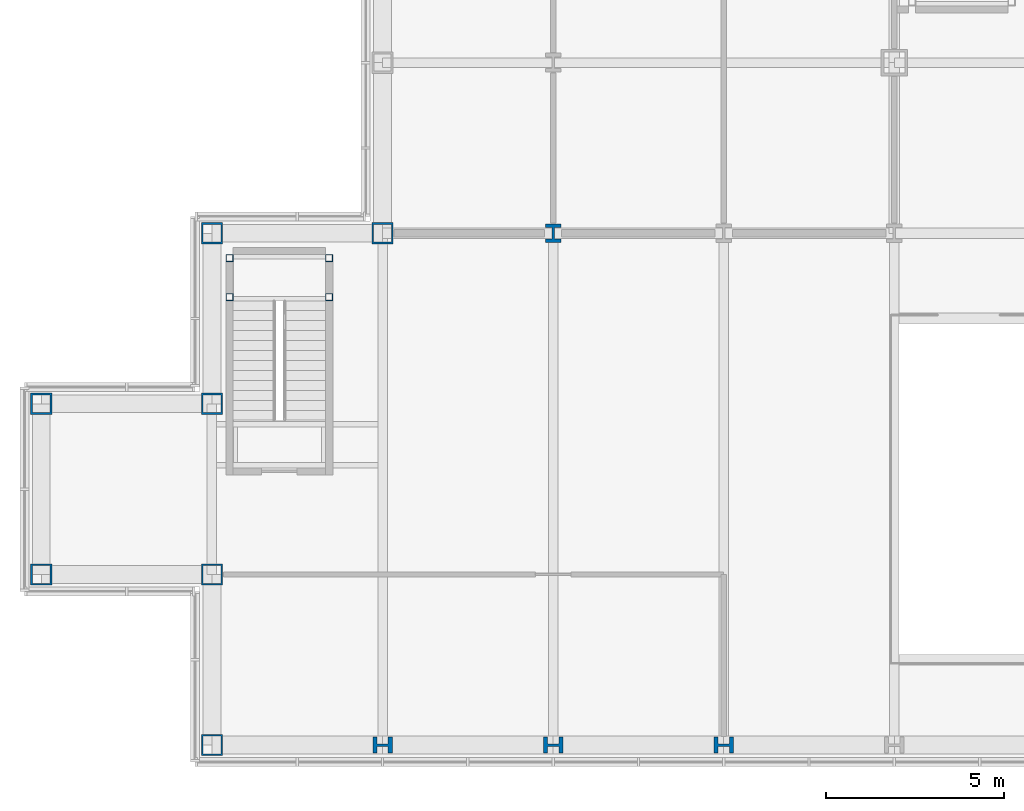
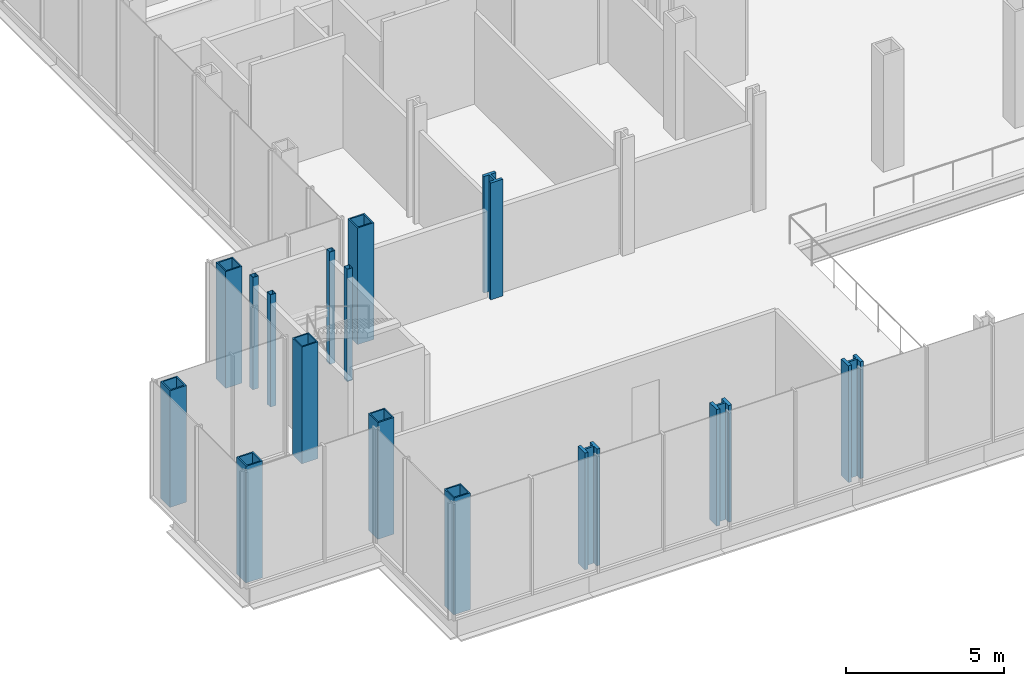
# One storey, part 1 of 28: 15 columns.
"""IFC4 building model written with IfcOpenShell, lengths in metres."""

from ifc_helpers import new_model, si_unit, direction, frame, origin, origin_2d, place, context, subcontext, project, spatial, hollow_rectangle, i_section, extrude, material, material_profile, profile_set, type_object, element, save


model = new_model("IFC4")

# Units and contexts
model_context = context("Model", 3, precision=1e-05, world=origin(), true_north=direction((0.0, 1.0)))
body_context = subcontext(model_context, "Body", "Model", "MODEL_VIEW")
ifc_project = project(units=[si_unit("LENGTHUNIT", "METRE"), si_unit("AREAUNIT", "SQUARE_METRE"), si_unit("VOLUMEUNIT", "CUBIC_METRE"), si_unit("PLANEANGLEUNIT", "RADIAN"), si_unit("MASSUNIT", "GRAM", prefix="KILO")], contexts=[model_context])

# Site, building, storey
site_placement = place(None, origin())
site = spatial("IfcSite", under=ifc_project, at=site_placement, CompositionType="ELEMENT")
building_placement = place(site_placement, origin())
building = spatial("IfcBuilding", under=site, at=building_placement, Name="Kvirike Care Tower", CompositionType="ELEMENT")
storey_placement = place(building_placement, frame((0.0, 0.0, 4.5)))
storey = spatial("IfcBuildingStorey", under=building, at=storey_placement, Name="L01", CompositionType="ELEMENT", Elevation=4.5)

# Columns
ifc_material_1 = material(Name="Steel S460", Category="steel")
ifc_material_profile_1 = material_profile(ifc_material_1, hollow_rectangle(XDim=0.60009765625, YDim=0.60009765625, WallThickness=0.050048828125, at=origin_2d()), Name="BX 600x600x50")
ifc_profile_set_1 = profile_set([ifc_material_profile_1], Name="Steel S460")
column_type_1 = type_object("IfcColumnType", Name="COLUMN BX 600x600x50", PredefinedType="COLUMN", material=ifc_profile_set_1)
for number, where, z_axis, x_axis, name in (
    (1, (-9.60009765625, 4.800048828125, 0.0), (0.0, 0.0, 1.0), (0.0, 1.0, 0.0), "Column B1 L01"),
    (2, (-9.60009765625, 9.60009765625, 0.0), (0.0, 0.0, 1.0), (0.0, 1.0, 0.0), "Column C1 L01"),
    (3, (-4.800048828125, 0.0, 0.0), (0.0, 0.0, 1.0), (0.0, 1.0, 0.0), "Column A2 L01"),
    (4, (-4.800048828125, 4.800048828125, 0.0), (0.0, 0.0, 1.0), (0.0, 1.0, 0.0), "Column B2 L01"),
    (5, (-4.800048828125, 9.60009765625, 0.0), (0.0, 0.0, 1.0), (0.0, 1.0, 0.0), "Column C2 L01"),
    (6, (-4.800048828125, 14.39990234375, 0.0), (0.0, 0.0, 1.0), (0.0, 1.0, 0.0), "Column D2 L01"),
    (7, (0.0, 14.39990234375, 0.0), (0.0, 0.0, 1.0), (0.0, 1.0, 0.0), "Column D3 L01"),
):
    element("IfcColumn", number, at=place(storey_placement, frame(where, z_axis=z_axis, x_axis=x_axis)), inside=storey, type_object=column_type_1, Name=name, PredefinedType="COLUMN", context=body_context, shape_type="SweptSolid", body=[
        extrude(hollow_rectangle(XDim=0.60009765625, YDim=0.60009765625, WallThickness=0.050048828125, at=origin_2d()), origin(), (0.0, 0.0, 1.0), 4.5),
    ])
ifc_material_2 = material(Name="Steel S460", Category="steel")
ifc_material_profile_2 = material_profile(ifc_material_2, i_section(OverallWidth=0.44189453125, OverallDepth=0.531005859375, WebThickness=0.06591796875, FlangeThickness=0.10595703125, FilletRadius=0.014892578125, at=origin_2d()), Name="HD 400x900")
ifc_profile_set_2 = profile_set([ifc_material_profile_2], Name="Steel S460")
column_type_2 = type_object("IfcColumnType", Name="COLUMN HD 400x900", PredefinedType="COLUMN", material=ifc_profile_set_2)
column_placement = place(storey_placement, frame((4.800048828125, 14.39990234375, 0.0), z_axis=(0.0, 0.0, 1.0), x_axis=(1.0, 0.0, 0.0)))
element("IfcColumn", 8, at=column_placement, inside=storey, type_object=column_type_2, Name="Column D4 L01", PredefinedType="COLUMN", context=body_context, shape_type="SweptSolid", body=[
    extrude(i_section(OverallWidth=0.44189453125, OverallDepth=0.531005859375, WebThickness=0.06591796875, FlangeThickness=0.10595703125, FilletRadius=0.014892578125, at=origin_2d()), origin(), (0.0, 0.0, 1.0), 4.5),
])
ifc_material_3 = material(Name="Steel S460", Category="steel")
ifc_material_profile_3 = material_profile(ifc_material_3, i_section(OverallWidth=0.447998046875, OverallDepth=0.550048828125, WebThickness=0.072021484375, FlangeThickness=0.114990234375, FilletRadius=0.014892578125, at=origin_2d()), Name="HD 400x990")
ifc_profile_set_3 = profile_set([ifc_material_profile_3], Name="Steel S460")
column_type_3 = type_object("IfcColumnType", Name="COLUMN HD 400x990", PredefinedType="COLUMN", material=ifc_profile_set_3)
for number, where, z_axis, x_axis, name in (
    (9, (0.0, 0.0, 0.0), (0.0, 0.0, 1.0), (0.0, 1.0, 0.0), "Column A3 L01"),
    (10, (4.800048828125, 0.0, 0.0), (0.0, 0.0, 1.0), (0.0, 1.0, 0.0), "Column A4 L01"),
    (11, (9.60009765625, 0.0, 0.0), (0.0, 0.0, 1.0), (0.0, 1.0, 0.0), "Column A5 L01"),
):
    element("IfcColumn", number, at=place(storey_placement, frame(where, z_axis=z_axis, x_axis=x_axis)), inside=storey, type_object=column_type_3, Name=name, PredefinedType="COLUMN", context=body_context, shape_type="SweptSolid", body=[
        extrude(i_section(OverallWidth=0.447998046875, OverallDepth=0.550048828125, WebThickness=0.072021484375, FlangeThickness=0.114990234375, FilletRadius=0.014892578125, at=origin_2d()), origin(), (0.0, 0.0, 1.0), 4.5),
    ])
ifc_material_4 = material(Name="Steel S460", Category="steel")
ifc_material_profile_4 = material_profile(ifc_material_4, hollow_rectangle(XDim=0.199951171875, YDim=0.199951171875, WallThickness=0.008056640625, at=origin_2d()), Name="SHS 200x200x8")
ifc_profile_set_4 = profile_set([ifc_material_profile_4], Name="Steel S460")
column_type_4 = type_object("IfcColumnType", Name="STAIR POST SHS 200x200x8", PredefinedType="COLUMN", material=ifc_profile_set_4)
for number, where, z_axis, x_axis, name in (
    (12, (-4.300048828125, 13.699951171875, 0.0), (0.0, 0.0, 1.0), (1.0, 0.0, 0.0), "Stair 3 post 1 L01"),
    (13, (-1.5, 13.699951171875, 0.0), (0.0, 0.0, 1.0), (1.0, 0.0, 0.0), "Stair 3 post 2 L01"),
    (14, (-4.300048828125, 12.60009765625, 0.0), (0.0, 0.0, 1.0), (1.0, 0.0, 0.0), "Stair 3 post 3 L01"),
    (15, (-1.5, 12.60009765625, 0.0), (0.0, 0.0, 1.0), (1.0, 0.0, 0.0), "Stair 3 post 4 L01"),
):
    element("IfcColumn", number, at=place(storey_placement, frame(where, z_axis=z_axis, x_axis=x_axis)), inside=storey, type_object=column_type_4, Name=name, PredefinedType="COLUMN", context=body_context, shape_type="SweptSolid", body=[
        extrude(hollow_rectangle(XDim=0.199951171875, YDim=0.199951171875, WallThickness=0.008056640625, at=origin_2d()), origin(), (0.0, 0.0, 1.0), 4.330078125),
    ])

save(model, "model.ifc")
